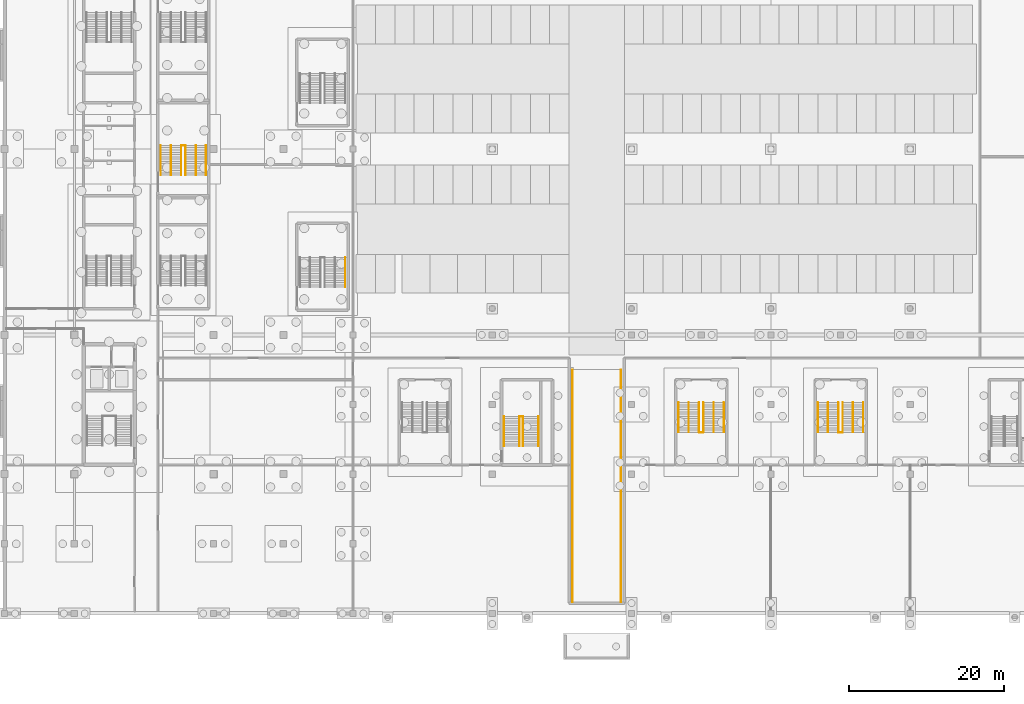
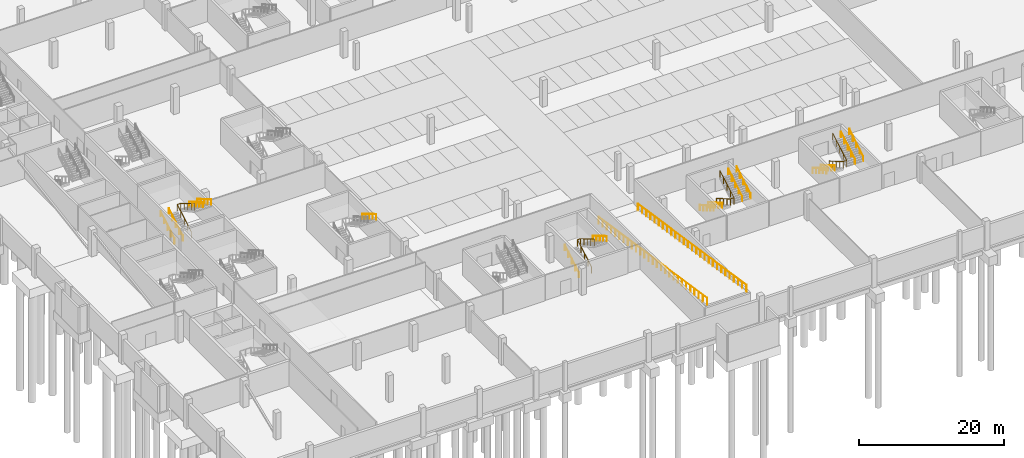
# One storey, part 40 of 46: 21 railings.
"""IFC4 building model written with IfcOpenShell, lengths in metres."""

import ifcopenshell
import ifcopenshell.guid

model = None  # the IFC model being written
_history = None  # IfcOwnerHistory: only IFC2X3 demands one
_inside = {}  # id of a spatial element -> (the spatial element, [elements in it])
_under = {}  # id of a project, library or spatial element -> (it, [spatial elements below it])
_declared = {}  # id of a project -> (the project, [libraries it declares])
_typed = {}  # id of a type object -> (the type object, [elements of that type])
_made_of = {}  # id of a material, layer set ... -> (it, [elements and type objects made of it])


def new_model(schema):
    """Start an empty IFC model of exactly this schema.

    Asked for "IFC4X3", IfcOpenShell would pick the latest addendum, in which some entities
    have other attributes; the version numbers below select the first issue.
    IFC2X3 requires an IfcOwnerHistory on every rooted entity: one is made here for all.
    """
    global model, _history
    if schema == "IFC4X3":
        model = ifcopenshell.file(schema_version=(4, 3, 0, 0))
    else:
        model = ifcopenshell.file(schema=schema)
    _inside.clear()
    _under.clear()
    _declared.clear()
    _typed.clear()
    _made_of.clear()
    _history = None
    if model.schema == "IFC2X3":
        org = make("IfcOrganization", Name="unknown")
        user = make(
            "IfcPersonAndOrganization",
            ThePerson=make("IfcPerson", FamilyName="unknown"),
            TheOrganization=org,
        )
        app = make(
            "IfcApplication",
            ApplicationDeveloper=org,
            Version="unknown",
            ApplicationFullName="unknown",
            ApplicationIdentifier="unknown",
        )
        _history = make(
            "IfcOwnerHistory",
            OwningUser=user,
            OwningApplication=app,
            ChangeAction="ADDED",
            CreationDate=0,
        )
    return model


def make(cls, **values):
    """One entity of the class cls with the attributes given. An attribute that is None is left unset."""
    return model.create_entity(
        cls, **{name: value for name, value in values.items() if value is not None}
    )


def rooted(cls, **values):
    """An entity with a GlobalId (a new one), such as an element, a storey or a relation."""
    return make(cls, GlobalId=ifcopenshell.guid.new(), OwnerHistory=_history, **values)


def si_unit(unit_type, name, prefix=None):
    """IfcSIUnit, for example si_unit("LENGTHUNIT", "METRE", prefix="MILLI")."""
    return make("IfcSIUnit", UnitType=unit_type, Prefix=prefix, Name=name)


def assignment(units):
    """IfcUnitAssignment: the units of a project."""
    return None if units is None else make("IfcUnitAssignment", Units=units)


def point(xyz):
    """IfcCartesianPoint."""
    return None if xyz is None else make("IfcCartesianPoint", Coordinates=xyz)


def direction(xyz):
    """IfcDirection."""
    return None if xyz is None else make("IfcDirection", DirectionRatios=xyz)


def frame(location, z_axis=None, x_axis=None):
    """IfcAxis2Placement3D, a coordinate frame: its origin and axes. An axis left out is left unset."""
    return make(
        "IfcAxis2Placement3D",
        Location=point(location),
        Axis=direction(z_axis),
        RefDirection=direction(x_axis),
    )


def frame_2d(location, x_axis=None):
    """IfcAxis2Placement2D, a coordinate frame in the plane: its origin and x axis."""
    return make(
        "IfcAxis2Placement2D", Location=point(location), RefDirection=direction(x_axis)
    )


def origin():
    """The frame at (0, 0, 0) with its axes left unset."""
    return frame((0.0, 0.0, 0.0))


def origin_2d():
    """The frame at (0, 0) in the plane with its x axis left unset."""
    return frame_2d((0.0, 0.0))


def place(relative_to, where):
    """IfcLocalPlacement: puts the frame where relative to a parent placement (None: the world)."""
    return make(
        "IfcLocalPlacement", PlacementRelTo=relative_to, RelativePlacement=where
    )


def context(
    kind, dimensions, precision=None, world=None, true_north=None, identifier=None
):
    """IfcGeometricRepresentationContext, for example the 3D "Model" context."""
    return make(
        "IfcGeometricRepresentationContext",
        ContextIdentifier=identifier,
        ContextType=kind,
        CoordinateSpaceDimension=dimensions,
        Precision=precision,
        WorldCoordinateSystem=world,
        TrueNorth=true_north,
    )


def subcontext(parent, identifier, kind, view, scale=None):
    """IfcGeometricRepresentationSubContext, for example "Body" below "Model"."""
    return make(
        "IfcGeometricRepresentationSubContext",
        ContextIdentifier=identifier,
        ContextType=kind,
        ParentContext=parent,
        TargetScale=scale,
        TargetView=view,
    )


def project(units=None, contexts=None):
    """IfcProject with its units and contexts."""
    return rooted(
        "IfcProject",
        Name="project",
        RepresentationContexts=contexts,
        UnitsInContext=assignment(units),
    )


def spatial(cls, under=None, at=None, **own):
    """A site, building, storey or space (cls), placed at a placement, below another one or the project."""
    s = rooted(cls, ObjectPlacement=at, **own)
    if under is not None:
        _under.setdefault(under.id(), (under, []))[1].append(s)
    return s


def profile(cls, at=None, kind="AREA", **sizes):
    """A parametric profile (cls). Its sizes go by their IFC names, for example OverallWidth=200.0."""
    return make(cls, ProfileType=kind, Position=at, **sizes)


def circle(**sizes):
    """IfcCircleProfileDef."""
    return profile("IfcCircleProfileDef", **sizes)


def extrude(swept, where, along, depth):
    """IfcExtrudedAreaSolid: the profile swept, set in the frame where, extruded along a direction by depth."""
    return make(
        "IfcExtrudedAreaSolid",
        SweptArea=swept,
        Position=where,
        ExtrudedDirection=direction(along),
        Depth=depth,
    )


def shape(context_of_items, identifier, shape_type, items):
    """IfcShapeRepresentation: the items that make up one representation, for example the "Body"."""
    return make(
        "IfcShapeRepresentation",
        ContextOfItems=context_of_items,
        RepresentationIdentifier=identifier,
        RepresentationType=shape_type,
        Items=items,
    )


def material(Name=None, Category=None):
    """IfcMaterial."""
    return make("IfcMaterial", Name=Name, Category=Category)


def made_of(thing, what):
    """Note that an element or type object is made of a material, layer set ...; save() writes the relation."""
    if what is not None:
        _made_of.setdefault(what.id(), (what, []))[1].append(thing)
    return thing


def type_object(cls, material=None, **own):
    """A type object (cls), such as IfcWallType, which elements share."""
    return made_of(rooted(cls, **own), material)


def element(
    cls,
    number,
    at=None,
    inside=None,
    cuts=None,
    type_object=None,
    material=None,
    context=None,
    identifier="Body",
    shape_type=None,
    held_by="IfcProductDefinitionShape",
    body=None,
    shapes=None,
    **own,
):
    """One element of the class cls, such as IfcWall. Its Tag is "e" and its number.

    at: its placement. inside: the storey or other place that contains it. cuts: it is an
    opening in that element (IfcRelVoidsElement). A single representation is given by context,
    identifier, shape_type and body (its items); several are given by shapes. held_by: the class
    of the entity that holds the representations. save() writes the other relations.
    """
    e = rooted(cls, Tag="e%d" % number, ObjectPlacement=at, **own)
    if body is not None:
        shapes = [shape(context, identifier, shape_type, body)]
    if shapes is not None:
        e.Representation = make(held_by, Representations=shapes)
    if inside is not None:
        _inside.setdefault(inside.id(), (inside, []))[1].append(e)
    if cuts is not None:
        rooted(
            "IfcRelVoidsElement", RelatingBuildingElement=cuts, RelatedOpeningElement=e
        )
    if type_object is not None:
        _typed.setdefault(type_object.id(), (type_object, []))[1].append(e)
    return made_of(e, material)


def aggregate(whole, parts):
    """IfcRelAggregates: a whole, such as a stair, and the parts it consists of."""
    return rooted("IfcRelAggregates", RelatingObject=whole, RelatedObjects=parts)


def save(model, path):
    """Write the relations noted so far, then the file.

    IfcRelAggregates (storeys below a building ...), IfcRelContainedInSpatialStructure (elements
    in a storey), IfcRelDefinesByType, IfcRelAssociatesMaterial and IfcRelDeclares: one each for
    every whole, place, type object, material and project.
    """
    for whole, parts in _under.values():
        aggregate(whole, parts)
    for where, things in _inside.values():
        rooted(
            "IfcRelContainedInSpatialStructure",
            RelatedElements=things,
            RelatingStructure=where,
        )
    for kind, things in _typed.values():
        rooted("IfcRelDefinesByType", RelatedObjects=things, RelatingType=kind)
    for what, things in _made_of.values():
        rooted("IfcRelAssociatesMaterial", RelatedObjects=things, RelatingMaterial=what)
    for by, libraries in _declared.values():
        rooted("IfcRelDeclares", RelatingContext=by, RelatedDefinitions=libraries)
    model.write(path)


model = new_model("IFC4")

# Units and contexts
model_context = context("Model", 3, precision=1e-05, world=origin(), true_north=direction((0.0, 1.0)))
body_context = subcontext(model_context, "Body", "Model", "MODEL_VIEW")
ifc_project = project(units=[si_unit("LENGTHUNIT", "METRE"), si_unit("AREAUNIT", "SQUARE_METRE"), si_unit("VOLUMEUNIT", "CUBIC_METRE"), si_unit("PLANEANGLEUNIT", "RADIAN"), si_unit("MASSUNIT", "GRAM", prefix="KILO")], contexts=[model_context])

# Site, building, storey
site_placement = place(None, origin())
site = spatial("IfcSite", under=ifc_project, at=site_placement, CompositionType="ELEMENT")
building_placement = place(site_placement, origin())
building = spatial("IfcBuilding", under=site, at=building_placement, Name="Kisiwana Market Hall", CompositionType="ELEMENT")
storey_placement = place(building_placement, frame((0.0, 0.0, -4.5)))
storey = spatial("IfcBuildingStorey", under=building, at=storey_placement, Name="B1", CompositionType="ELEMENT", Elevation=-4.5)

# Railings
ifc_material_1 = material(Name="Steel S275", Category="steel")
railing_type_1 = type_object("IfcRailingType", Name="RL-GUARD-1100", PredefinedType="GUARDRAIL", material=ifc_material_1)
railing_1_placement = place(storey_placement, frame((73.360107421875, 31.5, 0.0)))
element("IfcRailing", 1, at=railing_1_placement, inside=storey, type_object=railing_type_1, Name="Vehicle ramp sloped edge guardrail W RL-1709", PredefinedType="GUARDRAIL", context=body_context, shape_type="SweptSolid", body=[
    extrude(circle(Radius=0.02392578125, at=origin_2d()), frame((0.0, 0.0, 1.09619140625), z_axis=(0.0, -0.988936352868, 0.14834045293), x_axis=(1.0, 0.0, 0.0)), (0.0, 0.0, 1.0), 30.335693359375),
    extrude(circle(Radius=0.02099609375, at=origin_2d()), origin(), (0.0, 0.0, 1.0), 1.072021484375),
    extrude(circle(Radius=0.02099609375, at=origin_2d()), frame((0.0, -1.15380859375, 0.173095703125)), (0.0, 0.0, 1.0), 1.072021484375),
    extrude(circle(Radius=0.02099609375, at=origin_2d()), frame((0.0, -2.3076171875, 0.34619140625)), (0.0, 0.0, 1.0), 1.072021484375),
    extrude(circle(Radius=0.02099609375, at=origin_2d()), frame((0.0, -3.46142578125, 0.519287109375)), (0.0, 0.0, 1.0), 1.072021484375),
    extrude(circle(Radius=0.02099609375, at=origin_2d()), frame((0.0, -4.615478515625, 0.6923828125)), (0.0, 0.0, 1.0), 1.072021484375),
    extrude(circle(Radius=0.02099609375, at=origin_2d()), frame((0.0, -5.769287109375, 0.865478515625)), (0.0, 0.0, 1.0), 1.072021484375),
    extrude(circle(Radius=0.02099609375, at=origin_2d()), frame((0.0, -6.923095703125, 1.03857421875)), (0.0, 0.0, 1.0), 1.072021484375),
    extrude(circle(Radius=0.02099609375, at=origin_2d()), frame((0.0, -8.076904296875, 1.21142578125)), (0.0, 0.0, 1.0), 1.072021484375),
    extrude(circle(Radius=0.02099609375, at=origin_2d()), frame((0.0, -9.230712890625, 1.384521484375)), (0.0, 0.0, 1.0), 1.072021484375),
    extrude(circle(Radius=0.02099609375, at=origin_2d()), frame((0.0, -10.384521484375, 1.5576171875)), (0.0, 0.0, 1.0), 1.072021484375),
    extrude(circle(Radius=0.02099609375, at=origin_2d()), frame((0.0, -11.53857421875, 1.730712890625)), (0.0, 0.0, 1.0), 1.072021484375),
    extrude(circle(Radius=0.02099609375, at=origin_2d()), frame((0.0, -12.6923828125, 1.90380859375)), (0.0, 0.0, 1.0), 1.072021484375),
    extrude(circle(Radius=0.02099609375, at=origin_2d()), frame((0.0, -13.84619140625, 2.076904296875)), (0.0, 0.0, 1.0), 1.072021484375),
    extrude(circle(Radius=0.02099609375, at=origin_2d()), frame((0.0, -15.0, 2.25)), (0.0, 0.0, 1.0), 1.072021484375),
    extrude(circle(Radius=0.02099609375, at=origin_2d()), frame((0.0, -16.15380859375, 2.423095703125)), (0.0, 0.0, 1.0), 1.072021484375),
    extrude(circle(Radius=0.02099609375, at=origin_2d()), frame((0.0, -17.3076171875, 2.59619140625)), (0.0, 0.0, 1.0), 1.072021484375),
    extrude(circle(Radius=0.02099609375, at=origin_2d()), frame((0.0, -18.46142578125, 2.769287109375)), (0.0, 0.0, 1.0), 1.072021484375),
    extrude(circle(Radius=0.02099609375, at=origin_2d()), frame((0.0, -19.615478515625, 2.9423828125)), (0.0, 0.0, 1.0), 1.072021484375),
    extrude(circle(Radius=0.02099609375, at=origin_2d()), frame((0.0, -20.769287109375, 3.115478515625)), (0.0, 0.0, 1.0), 1.072021484375),
    extrude(circle(Radius=0.02099609375, at=origin_2d()), frame((0.0, -21.923095703125, 3.28857421875)), (0.0, 0.0, 1.0), 1.072021484375),
    extrude(circle(Radius=0.02099609375, at=origin_2d()), frame((0.0, -23.076904296875, 3.46142578125)), (0.0, 0.0, 1.0), 1.072021484375),
    extrude(circle(Radius=0.02099609375, at=origin_2d()), frame((0.0, -24.230712890625, 3.634521484375)), (0.0, 0.0, 1.0), 1.072021484375),
    extrude(circle(Radius=0.02099609375, at=origin_2d()), frame((0.0, -25.384521484375, 3.8076171875)), (0.0, 0.0, 1.0), 1.072021484375),
    extrude(circle(Radius=0.02099609375, at=origin_2d()), frame((0.0, -26.53857421875, 3.980712890625)), (0.0, 0.0, 1.0), 1.072021484375),
    extrude(circle(Radius=0.02099609375, at=origin_2d()), frame((0.0, -27.6923828125, 4.15380859375)), (0.0, 0.0, 1.0), 1.072021484375),
    extrude(circle(Radius=0.02099609375, at=origin_2d()), frame((0.0, -28.84619140625, 4.326904296875)), (0.0, 0.0, 1.0), 1.072021484375),
    extrude(circle(Radius=0.02099609375, at=origin_2d()), frame((0.0, -30.0, 4.5)), (0.0, 0.0, 1.0), 1.072021484375),
])
railing_2_placement = place(storey_placement, frame((79.639892578125, 31.5, 0.0)))
element("IfcRailing", 2, at=railing_2_placement, inside=storey, type_object=railing_type_1, Name="Vehicle ramp sloped edge guardrail E RL-1708", PredefinedType="GUARDRAIL", context=body_context, shape_type="SweptSolid", body=[
    extrude(circle(Radius=0.02392578125, at=origin_2d()), frame((0.0, 0.0, 1.09619140625), z_axis=(0.0, -0.988936352868, 0.14834045293), x_axis=(1.0, 0.0, 0.0)), (0.0, 0.0, 1.0), 30.335693359375),
    extrude(circle(Radius=0.02099609375, at=origin_2d()), origin(), (0.0, 0.0, 1.0), 1.072021484375),
    extrude(circle(Radius=0.02099609375, at=origin_2d()), frame((0.0, -1.15380859375, 0.173095703125)), (0.0, 0.0, 1.0), 1.072021484375),
    extrude(circle(Radius=0.02099609375, at=origin_2d()), frame((0.0, -2.3076171875, 0.34619140625)), (0.0, 0.0, 1.0), 1.072021484375),
    extrude(circle(Radius=0.02099609375, at=origin_2d()), frame((0.0, -3.46142578125, 0.519287109375)), (0.0, 0.0, 1.0), 1.072021484375),
    extrude(circle(Radius=0.02099609375, at=origin_2d()), frame((0.0, -4.615478515625, 0.6923828125)), (0.0, 0.0, 1.0), 1.072021484375),
    extrude(circle(Radius=0.02099609375, at=origin_2d()), frame((0.0, -5.769287109375, 0.865478515625)), (0.0, 0.0, 1.0), 1.072021484375),
    extrude(circle(Radius=0.02099609375, at=origin_2d()), frame((0.0, -6.923095703125, 1.03857421875)), (0.0, 0.0, 1.0), 1.072021484375),
    extrude(circle(Radius=0.02099609375, at=origin_2d()), frame((0.0, -8.076904296875, 1.21142578125)), (0.0, 0.0, 1.0), 1.072021484375),
    extrude(circle(Radius=0.02099609375, at=origin_2d()), frame((0.0, -9.230712890625, 1.384521484375)), (0.0, 0.0, 1.0), 1.072021484375),
    extrude(circle(Radius=0.02099609375, at=origin_2d()), frame((0.0, -10.384521484375, 1.5576171875)), (0.0, 0.0, 1.0), 1.072021484375),
    extrude(circle(Radius=0.02099609375, at=origin_2d()), frame((0.0, -11.53857421875, 1.730712890625)), (0.0, 0.0, 1.0), 1.072021484375),
    extrude(circle(Radius=0.02099609375, at=origin_2d()), frame((0.0, -12.6923828125, 1.90380859375)), (0.0, 0.0, 1.0), 1.072021484375),
    extrude(circle(Radius=0.02099609375, at=origin_2d()), frame((0.0, -13.84619140625, 2.076904296875)), (0.0, 0.0, 1.0), 1.072021484375),
    extrude(circle(Radius=0.02099609375, at=origin_2d()), frame((0.0, -15.0, 2.25)), (0.0, 0.0, 1.0), 1.072021484375),
    extrude(circle(Radius=0.02099609375, at=origin_2d()), frame((0.0, -16.15380859375, 2.423095703125)), (0.0, 0.0, 1.0), 1.072021484375),
    extrude(circle(Radius=0.02099609375, at=origin_2d()), frame((0.0, -17.3076171875, 2.59619140625)), (0.0, 0.0, 1.0), 1.072021484375),
    extrude(circle(Radius=0.02099609375, at=origin_2d()), frame((0.0, -18.46142578125, 2.769287109375)), (0.0, 0.0, 1.0), 1.072021484375),
    extrude(circle(Radius=0.02099609375, at=origin_2d()), frame((0.0, -19.615478515625, 2.9423828125)), (0.0, 0.0, 1.0), 1.072021484375),
    extrude(circle(Radius=0.02099609375, at=origin_2d()), frame((0.0, -20.769287109375, 3.115478515625)), (0.0, 0.0, 1.0), 1.072021484375),
    extrude(circle(Radius=0.02099609375, at=origin_2d()), frame((0.0, -21.923095703125, 3.28857421875)), (0.0, 0.0, 1.0), 1.072021484375),
    extrude(circle(Radius=0.02099609375, at=origin_2d()), frame((0.0, -23.076904296875, 3.46142578125)), (0.0, 0.0, 1.0), 1.072021484375),
    extrude(circle(Radius=0.02099609375, at=origin_2d()), frame((0.0, -24.230712890625, 3.634521484375)), (0.0, 0.0, 1.0), 1.072021484375),
    extrude(circle(Radius=0.02099609375, at=origin_2d()), frame((0.0, -25.384521484375, 3.8076171875)), (0.0, 0.0, 1.0), 1.072021484375),
    extrude(circle(Radius=0.02099609375, at=origin_2d()), frame((0.0, -26.53857421875, 3.980712890625)), (0.0, 0.0, 1.0), 1.072021484375),
    extrude(circle(Radius=0.02099609375, at=origin_2d()), frame((0.0, -27.6923828125, 4.15380859375)), (0.0, 0.0, 1.0), 1.072021484375),
    extrude(circle(Radius=0.02099609375, at=origin_2d()), frame((0.0, -28.84619140625, 4.326904296875)), (0.0, 0.0, 1.0), 1.072021484375),
    extrude(circle(Radius=0.02099609375, at=origin_2d()), frame((0.0, -30.0, 4.5)), (0.0, 0.0, 1.0), 1.072021484375),
])
railing_3_placement = place(storey_placement, frame((66.5, 21.62939453125, 0.0)))
element("IfcRailing", 3, at=railing_3_placement, inside=storey, type_object=railing_type_1, Name="Stair ST-S1-B1 inner-well guardrail (RL-025)", PredefinedType="GUARDRAIL", context=body_context, shape_type="SweptSolid", body=[
    extrude(circle(Radius=0.02392578125, at=origin_2d()), frame((0.0, 0.0, 1.076171875), z_axis=(0.0, 0.86252362769, 0.506016789916), x_axis=(-1.0, 0.0, 0.0)), (0.0, 0.0, 1.0), 4.446533203125),
    extrude(circle(Radius=0.02392578125, at=origin_2d()), frame((0.0, 3.835205078125, 3.326171875), z_axis=(1.0, 0.0, 0.0), x_axis=(0.0, 1.0, 0.0)), (0.0, 0.0, 1.0), 0.4599609375),
    extrude(circle(Radius=0.02392578125, at=origin_2d()), frame((0.4599609375, 3.835205078125, 3.326171875), z_axis=(0.0, -0.86252362769, 0.506016789916), x_axis=(1.0, 0.0, 0.0)), (0.0, 0.0, 1.0), 4.446533203125),
    extrude(circle(Radius=0.02099609375, at=origin_2d()), origin(), (0.0, 0.0, 1.0), 1.052001953125),
    extrude(circle(Radius=0.02099609375, at=origin_2d()), frame((0.0, 0.958740234375, 0.5625)), (0.0, 0.0, 1.0), 1.052001953125),
    extrude(circle(Radius=0.02099609375, at=origin_2d()), frame((0.0, 1.91748046875, 1.125)), (0.0, 0.0, 1.0), 1.052001953125),
    extrude(circle(Radius=0.02099609375, at=origin_2d()), frame((0.0, 2.87646484375, 1.6875)), (0.0, 0.0, 1.0), 1.052001953125),
    extrude(circle(Radius=0.02099609375, at=origin_2d()), frame((0.0, 3.835205078125, 2.25)), (0.0, 0.0, 1.0), 1.052001953125),
    extrude(circle(Radius=0.02099609375, at=origin_2d()), frame((0.4599609375, 3.835205078125, 2.25)), (0.0, 0.0, 1.0), 1.052001953125),
    extrude(circle(Radius=0.02099609375, at=origin_2d()), frame((0.4599609375, 2.87646484375, 2.8125)), (0.0, 0.0, 1.0), 1.052001953125),
    extrude(circle(Radius=0.02099609375, at=origin_2d()), frame((0.4599609375, 1.91748046875, 3.375)), (0.0, 0.0, 1.0), 1.052001953125),
    extrude(circle(Radius=0.02099609375, at=origin_2d()), frame((0.4599609375, 0.958740234375, 3.9375)), (0.0, 0.0, 1.0), 1.052001953125),
    extrude(circle(Radius=0.02099609375, at=origin_2d()), frame((0.4599609375, 0.0, 4.5)), (0.0, 0.0, 1.0), 1.052001953125),
])
railing_4_placement = place(storey_placement, frame((22.820068359375, 56.639892578125, 0.0)))
element("IfcRailing", 4, at=railing_4_placement, inside=storey, type_object=railing_type_1, Name="Stair ST-W5-B1 inner-well guardrail (RL-097)", PredefinedType="GUARDRAIL", context=body_context, shape_type="SweptSolid", body=[
    extrude(circle(Radius=0.02392578125, at=origin_2d()), frame((0.0, 0.0, 1.076171875), z_axis=(0.0, 0.86252362769, 0.506016789916), x_axis=(-1.0, 0.0, 0.0)), (0.0, 0.0, 1.0), 4.446533203125),
    extrude(circle(Radius=0.02392578125, at=origin_2d()), frame((0.0, 3.835205078125, 3.326171875), z_axis=(1.0, 0.0, 0.0), x_axis=(0.0, 1.0, 0.0)), (0.0, 0.0, 1.0), 0.559814453125),
    extrude(circle(Radius=0.02392578125, at=origin_2d()), frame((0.559814453125, 3.835205078125, 3.326171875), z_axis=(0.0, -0.86252362769, 0.506016789916), x_axis=(1.0, 0.0, 0.0)), (0.0, 0.0, 1.0), 4.446533203125),
    extrude(circle(Radius=0.02099609375, at=origin_2d()), origin(), (0.0, 0.0, 1.0), 1.052001953125),
    extrude(circle(Radius=0.02099609375, at=origin_2d()), frame((0.0, 0.958740234375, 0.5625)), (0.0, 0.0, 1.0), 1.052001953125),
    extrude(circle(Radius=0.02099609375, at=origin_2d()), frame((0.0, 1.91748046875, 1.125)), (0.0, 0.0, 1.0), 1.052001953125),
    extrude(circle(Radius=0.02099609375, at=origin_2d()), frame((0.0, 2.87646484375, 1.6875)), (0.0, 0.0, 1.0), 1.052001953125),
    extrude(circle(Radius=0.02099609375, at=origin_2d()), frame((0.0, 3.835205078125, 2.25)), (0.0, 0.0, 1.0), 1.052001953125),
    extrude(circle(Radius=0.02099609375, at=origin_2d()), frame((0.559814453125, 3.835205078125, 2.25)), (0.0, 0.0, 1.0), 1.052001953125),
    extrude(circle(Radius=0.02099609375, at=origin_2d()), frame((0.559814453125, 2.87646484375, 2.8125)), (0.0, 0.0, 1.0), 1.052001953125),
    extrude(circle(Radius=0.02099609375, at=origin_2d()), frame((0.559814453125, 1.91748046875, 3.375)), (0.0, 0.0, 1.0), 1.052001953125),
    extrude(circle(Radius=0.02099609375, at=origin_2d()), frame((0.559814453125, 0.958740234375, 3.9375)), (0.0, 0.0, 1.0), 1.052001953125),
    extrude(circle(Radius=0.02099609375, at=origin_2d()), frame((0.559814453125, 0.0, 4.5)), (0.0, 0.0, 1.0), 1.052001953125),
])
railing_5_placement = place(storey_placement, frame((89.719970703125, 27.239990234375, 0.0)))
element("IfcRailing", 5, at=railing_5_placement, inside=storey, type_object=railing_type_1, Name="Stair ST-S4-B1 inner-well guardrail (RL-117)", PredefinedType="GUARDRAIL", context=body_context, shape_type="SweptSolid", body=[
    extrude(circle(Radius=0.02392578125, at=origin_2d()), frame((0.0, 0.0, 1.076171875), z_axis=(0.0, -0.86250956776, 0.506040754805), x_axis=(1.0, 0.0, 0.0)), (0.0, 0.0, 1.0), 4.4462890625),
    extrude(circle(Radius=0.02392578125, at=origin_2d()), frame((0.0, -3.8349609375, 3.326171875), z_axis=(1.0, 0.0, 0.0), x_axis=(0.0, 1.0, 0.0)), (0.0, 0.0, 1.0), 0.56005859375),
    extrude(circle(Radius=0.02392578125, at=origin_2d()), frame((0.56005859375, -3.8349609375, 3.326171875), z_axis=(0.0, 0.86250956776, 0.506040754805), x_axis=(-1.0, 0.0, 0.0)), (0.0, 0.0, 1.0), 4.4462890625),
    extrude(circle(Radius=0.02099609375, at=origin_2d()), origin(), (0.0, 0.0, 1.0), 1.052001953125),
    extrude(circle(Radius=0.02099609375, at=origin_2d()), frame((0.0, -0.958740234375, 0.5625)), (0.0, 0.0, 1.0), 1.052001953125),
    extrude(circle(Radius=0.02099609375, at=origin_2d()), frame((0.0, -1.91748046875, 1.125)), (0.0, 0.0, 1.0), 1.052001953125),
    extrude(circle(Radius=0.02099609375, at=origin_2d()), frame((0.0, -2.876220703125, 1.6875)), (0.0, 0.0, 1.0), 1.052001953125),
    extrude(circle(Radius=0.02099609375, at=origin_2d()), frame((0.0, -3.8349609375, 2.25)), (0.0, 0.0, 1.0), 1.052001953125),
    extrude(circle(Radius=0.02099609375, at=origin_2d()), frame((0.56005859375, -3.8349609375, 2.25)), (0.0, 0.0, 1.0), 1.052001953125),
    extrude(circle(Radius=0.02099609375, at=origin_2d()), frame((0.56005859375, -2.876220703125, 2.8125)), (0.0, 0.0, 1.0), 1.052001953125),
    extrude(circle(Radius=0.02099609375, at=origin_2d()), frame((0.56005859375, -1.91748046875, 3.375)), (0.0, 0.0, 1.0), 1.052001953125),
    extrude(circle(Radius=0.02099609375, at=origin_2d()), frame((0.56005859375, -0.958740234375, 3.9375)), (0.0, 0.0, 1.0), 1.052001953125),
    extrude(circle(Radius=0.02099609375, at=origin_2d()), frame((0.56005859375, 0.0, 4.5)), (0.0, 0.0, 1.0), 1.052001953125),
])
railing_6_placement = place(storey_placement, frame((107.719970703125, 27.239990234375, 0.0)))
element("IfcRailing", 6, at=railing_6_placement, inside=storey, type_object=railing_type_1, Name="Stair ST-S5-B1 inner-well guardrail (RL-127)", PredefinedType="GUARDRAIL", context=body_context, shape_type="SweptSolid", body=[
    extrude(circle(Radius=0.02392578125, at=origin_2d()), frame((0.0, 0.0, 1.076171875), z_axis=(0.0, -0.86250956776, 0.506040754805), x_axis=(1.0, 0.0, 0.0)), (0.0, 0.0, 1.0), 4.4462890625),
    extrude(circle(Radius=0.02392578125, at=origin_2d()), frame((0.0, -3.8349609375, 3.326171875), z_axis=(1.0, 0.0, 0.0), x_axis=(0.0, 1.0, 0.0)), (0.0, 0.0, 1.0), 0.56005859375),
    extrude(circle(Radius=0.02392578125, at=origin_2d()), frame((0.56005859375, -3.8349609375, 3.326171875), z_axis=(0.0, 0.86250956776, 0.506040754805), x_axis=(-1.0, 0.0, 0.0)), (0.0, 0.0, 1.0), 4.4462890625),
    extrude(circle(Radius=0.02099609375, at=origin_2d()), origin(), (0.0, 0.0, 1.0), 1.052001953125),
    extrude(circle(Radius=0.02099609375, at=origin_2d()), frame((0.0, -0.958740234375, 0.5625)), (0.0, 0.0, 1.0), 1.052001953125),
    extrude(circle(Radius=0.02099609375, at=origin_2d()), frame((0.0, -1.91748046875, 1.125)), (0.0, 0.0, 1.0), 1.052001953125),
    extrude(circle(Radius=0.02099609375, at=origin_2d()), frame((0.0, -2.876220703125, 1.6875)), (0.0, 0.0, 1.0), 1.052001953125),
    extrude(circle(Radius=0.02099609375, at=origin_2d()), frame((0.0, -3.8349609375, 2.25)), (0.0, 0.0, 1.0), 1.052001953125),
    extrude(circle(Radius=0.02099609375, at=origin_2d()), frame((0.56005859375, -3.8349609375, 2.25)), (0.0, 0.0, 1.0), 1.052001953125),
    extrude(circle(Radius=0.02099609375, at=origin_2d()), frame((0.56005859375, -2.876220703125, 2.8125)), (0.0, 0.0, 1.0), 1.052001953125),
    extrude(circle(Radius=0.02099609375, at=origin_2d()), frame((0.56005859375, -1.91748046875, 3.375)), (0.0, 0.0, 1.0), 1.052001953125),
    extrude(circle(Radius=0.02099609375, at=origin_2d()), frame((0.56005859375, -0.958740234375, 3.9375)), (0.0, 0.0, 1.0), 1.052001953125),
    extrude(circle(Radius=0.02099609375, at=origin_2d()), frame((0.56005859375, 0.0, 4.5)), (0.0, 0.0, 1.0), 1.052001953125),
])
ifc_material_2 = material(Name="Steel S275", Category="steel")
railing_type_2 = type_object("IfcRailingType", Name="RL-HAND-900", PredefinedType="HANDRAIL", material=ifc_material_2)
railing_7_placement = place(storey_placement, frame((64.5, 21.62939453125, 0.0)))
element("IfcRailing", 7, at=railing_7_placement, inside=storey, type_object=railing_type_2, Name="Stair ST-S1-B1 flight 1 handrail (RL-026)", PredefinedType="HANDRAIL", context=body_context, shape_type="SweptSolid", body=[
    extrude(circle(Radius=0.02392578125, at=origin_2d()), frame((0.0, 0.0, 0.8759765625), z_axis=(0.0, 0.86252362769, 0.506016789916), x_axis=(-1.0, 0.0, 0.0)), (0.0, 0.0, 1.0), 4.446533203125),
    extrude(circle(Radius=0.02099609375, at=origin_2d()), origin(), (0.0, 0.0, 1.0), 0.851806640625),
    extrude(circle(Radius=0.02099609375, at=origin_2d()), frame((0.0, 0.958740234375, 0.5625)), (0.0, 0.0, 1.0), 0.851806640625),
    extrude(circle(Radius=0.02099609375, at=origin_2d()), frame((0.0, 1.91748046875, 1.125)), (0.0, 0.0, 1.0), 0.851806640625),
    extrude(circle(Radius=0.02099609375, at=origin_2d()), frame((0.0, 2.87646484375, 1.6875)), (0.0, 0.0, 1.0), 0.851806640625),
    extrude(circle(Radius=0.02099609375, at=origin_2d()), frame((0.0, 3.835205078125, 2.25)), (0.0, 0.0, 1.0), 0.851806640625),
])
for number, where, name in (
    (8, (68.9599609375, 25.464599609375, 2.25), "Stair ST-S1-B1 flight 2 handrail (RL-027)"),
    (9, (44.0, 45.9951171875, 2.25), "Stair ST-W9-B1 flight 2 handrail (RL-079)"),
):
    element("IfcRailing", number, at=place(storey_placement, frame(where)), inside=storey, type_object=railing_type_2, Name=name, PredefinedType="HANDRAIL", context=body_context, shape_type="SweptSolid", body=[
        extrude(circle(Radius=0.02392578125, at=origin_2d()), frame((0.0, 0.0, 0.8759765625), z_axis=(0.0, -0.86252362769, 0.506016789916), x_axis=(1.0, 0.0, 0.0)), (0.0, 0.0, 1.0), 4.446533203125),
        extrude(circle(Radius=0.02099609375, at=origin_2d()), origin(), (0.0, 0.0, 1.0), 0.851806640625),
        extrude(circle(Radius=0.02099609375, at=origin_2d()), frame((0.0, -0.958740234375, 0.5625)), (0.0, 0.0, 1.0), 0.851806640625),
        extrude(circle(Radius=0.02099609375, at=origin_2d()), frame((0.0, -1.91748046875, 1.125)), (0.0, 0.0, 1.0), 0.851806640625),
        extrude(circle(Radius=0.02099609375, at=origin_2d()), frame((0.0, -2.87646484375, 1.6875)), (0.0, 0.0, 1.0), 0.851806640625),
        extrude(circle(Radius=0.02099609375, at=origin_2d()), frame((0.0, -3.835205078125, 2.25)), (0.0, 0.0, 1.0), 0.851806640625),
    ])
railing_8_placement = place(storey_placement, frame((20.169921875, 56.639892578125, 0.0)))
element("IfcRailing", 10, at=railing_8_placement, inside=storey, type_object=railing_type_2, Name="Stair ST-W5-B1 flight 1 handrail (RL-098)", PredefinedType="HANDRAIL", context=body_context, shape_type="SweptSolid", body=[
    extrude(circle(Radius=0.02392578125, at=origin_2d()), frame((0.0, 0.0, 0.8759765625), z_axis=(0.0, 0.86252362769, 0.506016789916), x_axis=(-1.0, 0.0, 0.0)), (0.0, 0.0, 1.0), 4.446533203125),
    extrude(circle(Radius=0.02099609375, at=origin_2d()), origin(), (0.0, 0.0, 1.0), 0.851806640625),
    extrude(circle(Radius=0.02099609375, at=origin_2d()), frame((0.0, 0.958740234375, 0.5625)), (0.0, 0.0, 1.0), 0.851806640625),
    extrude(circle(Radius=0.02099609375, at=origin_2d()), frame((0.0, 1.91748046875, 1.125)), (0.0, 0.0, 1.0), 0.851806640625),
    extrude(circle(Radius=0.02099609375, at=origin_2d()), frame((0.0, 2.87646484375, 1.6875)), (0.0, 0.0, 1.0), 0.851806640625),
    extrude(circle(Radius=0.02099609375, at=origin_2d()), frame((0.0, 3.835205078125, 2.25)), (0.0, 0.0, 1.0), 0.851806640625),
])
railing_9_placement = place(storey_placement, frame((26.030029296875, 60.47509765625, 2.25)))
element("IfcRailing", 11, at=railing_9_placement, inside=storey, type_object=railing_type_2, Name="Stair ST-W5-B1 flight 2 handrail (RL-099)", PredefinedType="HANDRAIL", context=body_context, shape_type="SweptSolid", body=[
    extrude(circle(Radius=0.02392578125, at=origin_2d()), frame((0.0, 0.0, 0.8759765625), z_axis=(0.0, -0.86252362769, 0.506016789916), x_axis=(1.0, 0.0, 0.0)), (0.0, 0.0, 1.0), 4.446533203125),
    extrude(circle(Radius=0.02099609375, at=origin_2d()), origin(), (0.0, 0.0, 1.0), 0.851806640625),
    extrude(circle(Radius=0.02099609375, at=origin_2d()), frame((0.0, -0.958740234375, 0.5625)), (0.0, 0.0, 1.0), 0.851806640625),
    extrude(circle(Radius=0.02099609375, at=origin_2d()), frame((0.0, -1.91748046875, 1.125)), (0.0, 0.0, 1.0), 0.851806640625),
    extrude(circle(Radius=0.02099609375, at=origin_2d()), frame((0.0, -2.87646484375, 1.6875)), (0.0, 0.0, 1.0), 0.851806640625),
    extrude(circle(Radius=0.02099609375, at=origin_2d()), frame((0.0, -3.835205078125, 2.25)), (0.0, 0.0, 1.0), 0.851806640625),
])
railing_10_placement = place(storey_placement, frame((21.489990234375, 56.639892578125, 0.0)))
element("IfcRailing", 12, at=railing_10_placement, inside=storey, type_object=railing_type_2, Name="Stair ST-W5-B1 flight 1 intermediate handrail (RL-100)", PredefinedType="HANDRAIL", context=body_context, shape_type="SweptSolid", body=[
    extrude(circle(Radius=0.02392578125, at=origin_2d()), frame((0.0, 0.0, 0.8759765625), z_axis=(0.0, 0.86252362769, 0.506016789916), x_axis=(-1.0, 0.0, 0.0)), (0.0, 0.0, 1.0), 4.446533203125),
    extrude(circle(Radius=0.02099609375, at=origin_2d()), origin(), (0.0, 0.0, 1.0), 0.851806640625),
    extrude(circle(Radius=0.02099609375, at=origin_2d()), frame((0.0, 0.958740234375, 0.5625)), (0.0, 0.0, 1.0), 0.851806640625),
    extrude(circle(Radius=0.02099609375, at=origin_2d()), frame((0.0, 1.91748046875, 1.125)), (0.0, 0.0, 1.0), 0.851806640625),
    extrude(circle(Radius=0.02099609375, at=origin_2d()), frame((0.0, 2.87646484375, 1.6875)), (0.0, 0.0, 1.0), 0.851806640625),
    extrude(circle(Radius=0.02099609375, at=origin_2d()), frame((0.0, 3.835205078125, 2.25)), (0.0, 0.0, 1.0), 0.851806640625),
])
railing_11_placement = place(storey_placement, frame((24.7099609375, 60.47509765625, 2.25)))
element("IfcRailing", 13, at=railing_11_placement, inside=storey, type_object=railing_type_2, Name="Stair ST-W5-B1 flight 2 intermediate handrail (RL-101)", PredefinedType="HANDRAIL", context=body_context, shape_type="SweptSolid", body=[
    extrude(circle(Radius=0.02392578125, at=origin_2d()), frame((0.0, 0.0, 0.8759765625), z_axis=(0.0, -0.86252362769, 0.506016789916), x_axis=(1.0, 0.0, 0.0)), (0.0, 0.0, 1.0), 4.446533203125),
    extrude(circle(Radius=0.02099609375, at=origin_2d()), origin(), (0.0, 0.0, 1.0), 0.851806640625),
    extrude(circle(Radius=0.02099609375, at=origin_2d()), frame((0.0, -0.958740234375, 0.5625)), (0.0, 0.0, 1.0), 0.851806640625),
    extrude(circle(Radius=0.02099609375, at=origin_2d()), frame((0.0, -1.91748046875, 1.125)), (0.0, 0.0, 1.0), 0.851806640625),
    extrude(circle(Radius=0.02099609375, at=origin_2d()), frame((0.0, -2.87646484375, 1.6875)), (0.0, 0.0, 1.0), 0.851806640625),
    extrude(circle(Radius=0.02099609375, at=origin_2d()), frame((0.0, -3.835205078125, 2.25)), (0.0, 0.0, 1.0), 0.851806640625),
])
railing_12_placement = place(storey_placement, frame((87.070068359375, 27.239990234375, 0.0)))
element("IfcRailing", 14, at=railing_12_placement, inside=storey, type_object=railing_type_2, Name="Stair ST-S4-B1 flight 1 handrail (RL-118)", PredefinedType="HANDRAIL", context=body_context, shape_type="SweptSolid", body=[
    extrude(circle(Radius=0.02392578125, at=origin_2d()), frame((0.0, 0.0, 0.8759765625), z_axis=(0.0, -0.86250956776, 0.506040754805), x_axis=(1.0, 0.0, 0.0)), (0.0, 0.0, 1.0), 4.4462890625),
    extrude(circle(Radius=0.02099609375, at=origin_2d()), origin(), (0.0, 0.0, 1.0), 0.851806640625),
    extrude(circle(Radius=0.02099609375, at=origin_2d()), frame((0.0, -0.958740234375, 0.5625)), (0.0, 0.0, 1.0), 0.851806640625),
    extrude(circle(Radius=0.02099609375, at=origin_2d()), frame((0.0, -1.91748046875, 1.125)), (0.0, 0.0, 1.0), 0.851806640625),
    extrude(circle(Radius=0.02099609375, at=origin_2d()), frame((0.0, -2.876220703125, 1.6875)), (0.0, 0.0, 1.0), 0.851806640625),
    extrude(circle(Radius=0.02099609375, at=origin_2d()), frame((0.0, -3.8349609375, 2.25)), (0.0, 0.0, 1.0), 0.851806640625),
])
railing_13_placement = place(storey_placement, frame((92.929931640625, 23.405029296875, 2.25)))
element("IfcRailing", 15, at=railing_13_placement, inside=storey, type_object=railing_type_2, Name="Stair ST-S4-B1 flight 2 handrail (RL-119)", PredefinedType="HANDRAIL", context=body_context, shape_type="SweptSolid", body=[
    extrude(circle(Radius=0.02392578125, at=origin_2d()), frame((0.0, 0.0, 0.8759765625), z_axis=(0.0, 0.86250956776, 0.506040754805), x_axis=(-1.0, 0.0, 0.0)), (0.0, 0.0, 1.0), 4.4462890625),
    extrude(circle(Radius=0.02099609375, at=origin_2d()), origin(), (0.0, 0.0, 1.0), 0.851806640625),
    extrude(circle(Radius=0.02099609375, at=origin_2d()), frame((0.0, 0.958740234375, 0.5625)), (0.0, 0.0, 1.0), 0.851806640625),
    extrude(circle(Radius=0.02099609375, at=origin_2d()), frame((0.0, 1.91748046875, 1.125)), (0.0, 0.0, 1.0), 0.851806640625),
    extrude(circle(Radius=0.02099609375, at=origin_2d()), frame((0.0, 2.876220703125, 1.6875)), (0.0, 0.0, 1.0), 0.851806640625),
    extrude(circle(Radius=0.02099609375, at=origin_2d()), frame((0.0, 3.8349609375, 2.25)), (0.0, 0.0, 1.0), 0.851806640625),
])
railing_14_placement = place(storey_placement, frame((88.389892578125, 27.239990234375, 0.0)))
element("IfcRailing", 16, at=railing_14_placement, inside=storey, type_object=railing_type_2, Name="Stair ST-S4-B1 flight 1 intermediate handrail (RL-120)", PredefinedType="HANDRAIL", context=body_context, shape_type="SweptSolid", body=[
    extrude(circle(Radius=0.02392578125, at=origin_2d()), frame((0.0, 0.0, 0.8759765625), z_axis=(0.0, -0.86250956776, 0.506040754805), x_axis=(1.0, 0.0, 0.0)), (0.0, 0.0, 1.0), 4.4462890625),
    extrude(circle(Radius=0.02099609375, at=origin_2d()), origin(), (0.0, 0.0, 1.0), 0.851806640625),
    extrude(circle(Radius=0.02099609375, at=origin_2d()), frame((0.0, -0.958740234375, 0.5625)), (0.0, 0.0, 1.0), 0.851806640625),
    extrude(circle(Radius=0.02099609375, at=origin_2d()), frame((0.0, -1.91748046875, 1.125)), (0.0, 0.0, 1.0), 0.851806640625),
    extrude(circle(Radius=0.02099609375, at=origin_2d()), frame((0.0, -2.876220703125, 1.6875)), (0.0, 0.0, 1.0), 0.851806640625),
    extrude(circle(Radius=0.02099609375, at=origin_2d()), frame((0.0, -3.8349609375, 2.25)), (0.0, 0.0, 1.0), 0.851806640625),
])
railing_15_placement = place(storey_placement, frame((91.610107421875, 23.405029296875, 2.25)))
element("IfcRailing", 17, at=railing_15_placement, inside=storey, type_object=railing_type_2, Name="Stair ST-S4-B1 flight 2 intermediate handrail (RL-121)", PredefinedType="HANDRAIL", context=body_context, shape_type="SweptSolid", body=[
    extrude(circle(Radius=0.02392578125, at=origin_2d()), frame((0.0, 0.0, 0.8759765625), z_axis=(0.0, 0.86250956776, 0.506040754805), x_axis=(-1.0, 0.0, 0.0)), (0.0, 0.0, 1.0), 4.4462890625),
    extrude(circle(Radius=0.02099609375, at=origin_2d()), origin(), (0.0, 0.0, 1.0), 0.851806640625),
    extrude(circle(Radius=0.02099609375, at=origin_2d()), frame((0.0, 0.958740234375, 0.5625)), (0.0, 0.0, 1.0), 0.851806640625),
    extrude(circle(Radius=0.02099609375, at=origin_2d()), frame((0.0, 1.91748046875, 1.125)), (0.0, 0.0, 1.0), 0.851806640625),
    extrude(circle(Radius=0.02099609375, at=origin_2d()), frame((0.0, 2.876220703125, 1.6875)), (0.0, 0.0, 1.0), 0.851806640625),
    extrude(circle(Radius=0.02099609375, at=origin_2d()), frame((0.0, 3.8349609375, 2.25)), (0.0, 0.0, 1.0), 0.851806640625),
])
railing_16_placement = place(storey_placement, frame((105.070068359375, 27.239990234375, 0.0)))
element("IfcRailing", 18, at=railing_16_placement, inside=storey, type_object=railing_type_2, Name="Stair ST-S5-B1 flight 1 handrail (RL-128)", PredefinedType="HANDRAIL", context=body_context, shape_type="SweptSolid", body=[
    extrude(circle(Radius=0.02392578125, at=origin_2d()), frame((0.0, 0.0, 0.8759765625), z_axis=(0.0, -0.86250956776, 0.506040754805), x_axis=(1.0, 0.0, 0.0)), (0.0, 0.0, 1.0), 4.4462890625),
    extrude(circle(Radius=0.02099609375, at=origin_2d()), origin(), (0.0, 0.0, 1.0), 0.851806640625),
    extrude(circle(Radius=0.02099609375, at=origin_2d()), frame((0.0, -0.958740234375, 0.5625)), (0.0, 0.0, 1.0), 0.851806640625),
    extrude(circle(Radius=0.02099609375, at=origin_2d()), frame((0.0, -1.91748046875, 1.125)), (0.0, 0.0, 1.0), 0.851806640625),
    extrude(circle(Radius=0.02099609375, at=origin_2d()), frame((0.0, -2.876220703125, 1.6875)), (0.0, 0.0, 1.0), 0.851806640625),
    extrude(circle(Radius=0.02099609375, at=origin_2d()), frame((0.0, -3.8349609375, 2.25)), (0.0, 0.0, 1.0), 0.851806640625),
])
railing_17_placement = place(storey_placement, frame((110.929931640625, 23.405029296875, 2.25)))
element("IfcRailing", 19, at=railing_17_placement, inside=storey, type_object=railing_type_2, Name="Stair ST-S5-B1 flight 2 handrail (RL-129)", PredefinedType="HANDRAIL", context=body_context, shape_type="SweptSolid", body=[
    extrude(circle(Radius=0.02392578125, at=origin_2d()), frame((0.0, 0.0, 0.8759765625), z_axis=(0.0, 0.86250956776, 0.506040754805), x_axis=(-1.0, 0.0, 0.0)), (0.0, 0.0, 1.0), 4.4462890625),
    extrude(circle(Radius=0.02099609375, at=origin_2d()), origin(), (0.0, 0.0, 1.0), 0.851806640625),
    extrude(circle(Radius=0.02099609375, at=origin_2d()), frame((0.0, 0.958740234375, 0.5625)), (0.0, 0.0, 1.0), 0.851806640625),
    extrude(circle(Radius=0.02099609375, at=origin_2d()), frame((0.0, 1.91748046875, 1.125)), (0.0, 0.0, 1.0), 0.851806640625),
    extrude(circle(Radius=0.02099609375, at=origin_2d()), frame((0.0, 2.876220703125, 1.6875)), (0.0, 0.0, 1.0), 0.851806640625),
    extrude(circle(Radius=0.02099609375, at=origin_2d()), frame((0.0, 3.8349609375, 2.25)), (0.0, 0.0, 1.0), 0.851806640625),
])
railing_18_placement = place(storey_placement, frame((106.389892578125, 27.239990234375, 0.0)))
element("IfcRailing", 20, at=railing_18_placement, inside=storey, type_object=railing_type_2, Name="Stair ST-S5-B1 flight 1 intermediate handrail (RL-130)", PredefinedType="HANDRAIL", context=body_context, shape_type="SweptSolid", body=[
    extrude(circle(Radius=0.02392578125, at=origin_2d()), frame((0.0, 0.0, 0.8759765625), z_axis=(0.0, -0.86250956776, 0.506040754805), x_axis=(1.0, 0.0, 0.0)), (0.0, 0.0, 1.0), 4.4462890625),
    extrude(circle(Radius=0.02099609375, at=origin_2d()), origin(), (0.0, 0.0, 1.0), 0.851806640625),
    extrude(circle(Radius=0.02099609375, at=origin_2d()), frame((0.0, -0.958740234375, 0.5625)), (0.0, 0.0, 1.0), 0.851806640625),
    extrude(circle(Radius=0.02099609375, at=origin_2d()), frame((0.0, -1.91748046875, 1.125)), (0.0, 0.0, 1.0), 0.851806640625),
    extrude(circle(Radius=0.02099609375, at=origin_2d()), frame((0.0, -2.876220703125, 1.6875)), (0.0, 0.0, 1.0), 0.851806640625),
    extrude(circle(Radius=0.02099609375, at=origin_2d()), frame((0.0, -3.8349609375, 2.25)), (0.0, 0.0, 1.0), 0.851806640625),
])
railing_19_placement = place(storey_placement, frame((109.610107421875, 23.405029296875, 2.25)))
element("IfcRailing", 21, at=railing_19_placement, inside=storey, type_object=railing_type_2, Name="Stair ST-S5-B1 flight 2 intermediate handrail (RL-131)", PredefinedType="HANDRAIL", context=body_context, shape_type="SweptSolid", body=[
    extrude(circle(Radius=0.02392578125, at=origin_2d()), frame((0.0, 0.0, 0.8759765625), z_axis=(0.0, 0.86250956776, 0.506040754805), x_axis=(-1.0, 0.0, 0.0)), (0.0, 0.0, 1.0), 4.4462890625),
    extrude(circle(Radius=0.02099609375, at=origin_2d()), origin(), (0.0, 0.0, 1.0), 0.851806640625),
    extrude(circle(Radius=0.02099609375, at=origin_2d()), frame((0.0, 0.958740234375, 0.5625)), (0.0, 0.0, 1.0), 0.851806640625),
    extrude(circle(Radius=0.02099609375, at=origin_2d()), frame((0.0, 1.91748046875, 1.125)), (0.0, 0.0, 1.0), 0.851806640625),
    extrude(circle(Radius=0.02099609375, at=origin_2d()), frame((0.0, 2.876220703125, 1.6875)), (0.0, 0.0, 1.0), 0.851806640625),
    extrude(circle(Radius=0.02099609375, at=origin_2d()), frame((0.0, 3.8349609375, 2.25)), (0.0, 0.0, 1.0), 0.851806640625),
])

save(model, "model.ifc")
